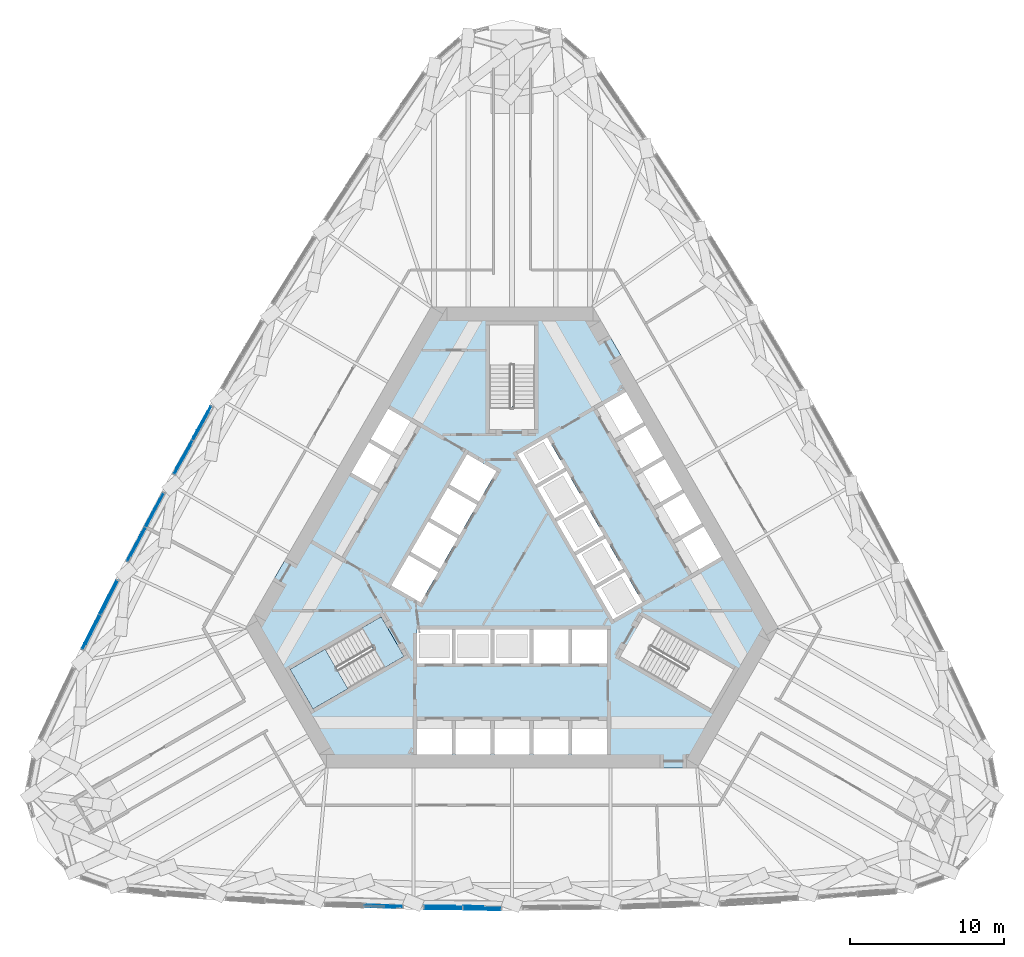
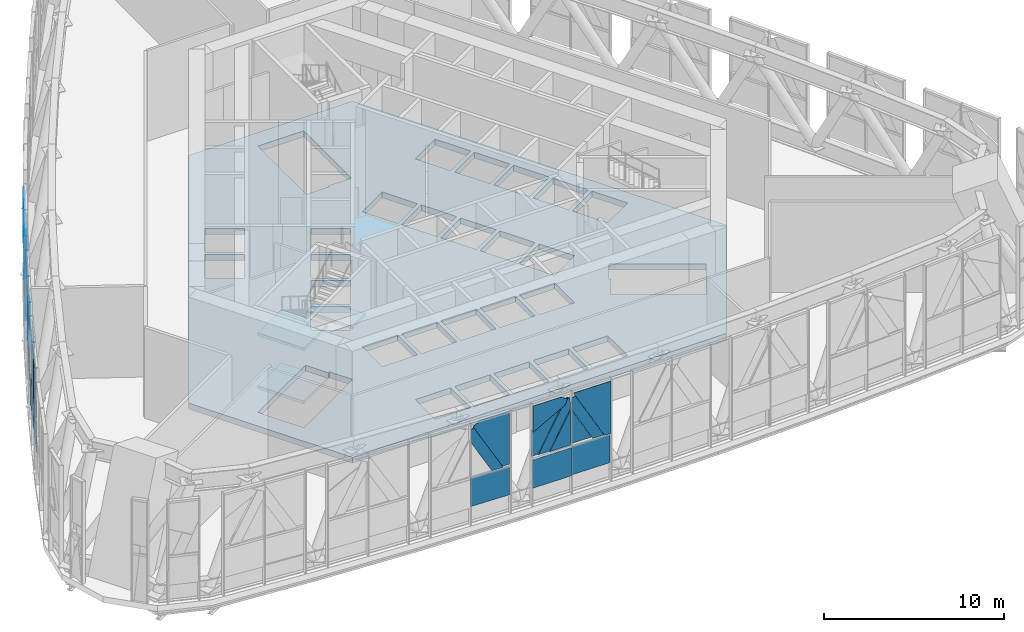
# One storey, part 13 of 33: 37 plates, 4 slabs, 3 elements without a shape of their own.
"""IFC4 building model written with IfcOpenShell, lengths in metres."""

from ifc_helpers import new_model, si_unit, direction, frame, origin, place, context, subcontext, project, spatial, polyline, outline, extrude, material, layer, layer_set, type_object, element, aggregate, save


model = new_model("IFC4")

# Units and contexts
model_context = context("Model", 3, precision=1e-05, world=origin(), true_north=direction((0.0, 1.0)))
body_context = subcontext(model_context, "Body", "Model", "MODEL_VIEW")
ifc_project = project(units=[si_unit("LENGTHUNIT", "METRE"), si_unit("AREAUNIT", "SQUARE_METRE"), si_unit("VOLUMEUNIT", "CUBIC_METRE"), si_unit("PLANEANGLEUNIT", "RADIAN"), si_unit("MASSUNIT", "GRAM", prefix="KILO")], contexts=[model_context])

# Site, building, storey
site_placement = place(None, origin())
site = spatial("IfcSite", under=ifc_project, at=site_placement, CompositionType="ELEMENT")
building_placement = place(site_placement, origin())
building = spatial("IfcBuilding", under=site, at=building_placement, Name="Mestral Congress Tower", CompositionType="ELEMENT")
storey_placement = place(building_placement, frame((0.0, 0.0, 134.39990234375)))
storey = spatial("IfcBuildingStorey", under=building, at=storey_placement, Name="L32", CompositionType="ELEMENT", Elevation=134.39990234375)

# Slab
ifc_material_1 = material(Name="Concrete C60/75", Category="concrete")
ifc_layer_1 = layer(ifc_material_1, 0.39990234375)
ifc_layer_set_1 = layer_set([ifc_layer_1], Name="Concrete C60/75")
slab_type_1 = type_object("IfcSlabType", Name="Core floor slab RC 400", PredefinedType="FLOOR", material=ifc_layer_set_1)
slab_1_placement = place(storey_placement, frame((0.0, 0.0, -0.39990234375)))
element("IfcSlab", 1, at=slab_1_placement, inside=storey, type_object=slab_type_1, Name="L32 core floor", PredefinedType="FLOOR", context=body_context, shape_type="SweptSolid", body=[
    extrude(outline(polyline([(12.0087890625, -13.0), (-12.0087890625, -13.0), (-17.2626953125, -3.89990234375), (-5.25390625, 16.89990234375), (5.25390625, 16.89990234375), (17.2626953125, -3.89990234375), (12.0087890625, -13.0)]), holes=[polyline([(-3.905029296875, -9.89990234375), (-6.175048828125, -9.89990234375), (-6.175048828125, -12.10009765625), (-3.905029296875, -12.10009765625), (-3.905029296875, -9.89990234375)]), polyline([(-1.385009765625, -12.10009765625), (-1.385009765625, -9.89990234375), (-3.655029296875, -9.89990234375), (-3.655029296875, -12.10009765625), (-1.385009765625, -12.10009765625)]), polyline([(1.135009765625, -12.10009765625), (1.135009765625, -9.89990234375), (-1.135009765625, -9.89990234375), (-1.135009765625, -12.10009765625), (1.135009765625, -12.10009765625)]), polyline([(-9.0673828125, -5.235107421875), (-9.8046875, -3.95751953125), (-14.37744140625, -6.59765625), (-12.90234375, -9.15234375), (-8.234619140625, -6.45751953125), (-8.971923828125, -5.179931640625), (-9.0673828125, -5.235107421875)]), polyline([(-3.905029296875, -6.199951171875), (-3.905029296875, -4.0), (-6.175048828125, -4.0), (-6.175048828125, -6.199951171875), (-3.905029296875, -6.199951171875)]), polyline([(-1.385009765625, -6.199951171875), (-1.385009765625, -4.0), (-3.655029296875, -4.0), (-3.655029296875, -6.199951171875), (-1.385009765625, -6.199951171875)]), polyline([(1.135009765625, -6.199951171875), (1.135009765625, -4.0), (-1.135009765625, -4.0), (-1.135009765625, -6.199951171875), (1.135009765625, -6.199951171875)]), polyline([(-5.921630859375, -2.256591796875), (-4.78662109375, -0.29052734375), (-6.69189453125, 0.809326171875), (-7.826904296875, -1.156494140625), (-5.921630859375, -2.256591796875)]), polyline([(-6.56689453125, 1.02587890625), (-4.66162109375, -0.07421875), (-3.526611328125, 1.8916015625), (-5.431884765625, 2.99169921875), (-6.56689453125, 1.02587890625)]), polyline([(-5.306884765625, 3.208251953125), (-3.401611328125, 2.1083984375), (-2.2666015625, 4.07421875), (-4.171875, 5.174072265625), (-5.306884765625, 3.208251953125)]), polyline([(-4.046875, 5.390625), (-2.1416015625, 4.29052734375), (-1.006591796875, 6.256591796875), (-2.911865234375, 7.3564453125), (-4.046875, 5.390625)]), polyline([(-10.41650390625, 6.158203125), (-8.51123046875, 5.058349609375), (-7.376220703125, 7.024169921875), (-9.281494140625, 8.1240234375), (-10.41650390625, 6.158203125)]), polyline([(2.281982421875, 8.44775390625), (0.376708984375, 7.34765625), (1.51171875, 5.3818359375), (3.4169921875, 6.481689453125), (2.281982421875, 8.44775390625)]), polyline([(-9.156494140625, 8.340576171875), (-7.251220703125, 7.240478515625), (-6.1162109375, 9.20654296875), (-8.021484375, 10.306396484375), (-9.156494140625, 8.340576171875)]), polyline([(1.47509765625, 10.469970703125), (1.47509765625, 15.75), (-1.47509765625, 15.75), (-1.47509765625, 10.360107421875), (0.0, 10.360107421875), (0.0, 10.469970703125), (1.47509765625, 10.469970703125)]), polyline([(3.655029296875, -12.10009765625), (3.655029296875, -9.89990234375), (1.385009765625, -9.89990234375), (1.385009765625, -12.10009765625), (3.655029296875, -12.10009765625)]), polyline([(6.175048828125, -12.10009765625), (6.175048828125, -9.89990234375), (3.905029296875, -9.89990234375), (3.905029296875, -12.10009765625), (6.175048828125, -12.10009765625)]), polyline([(9.0673828125, -5.235107421875), (8.329833984375, -6.512451171875), (12.90234375, -9.15234375), (14.37744140625, -6.59765625), (9.70947265625, -3.902587890625), (8.971923828125, -5.179931640625), (9.0673828125, -5.235107421875)]), polyline([(3.655029296875, -6.199951171875), (3.655029296875, -4.0), (1.385009765625, -4.0), (1.385009765625, -6.199951171875), (3.655029296875, -6.199951171875)]), polyline([(6.175048828125, -6.199951171875), (6.175048828125, -4.0), (3.905029296875, -4.0), (3.905029296875, -6.199951171875), (6.175048828125, -6.199951171875)]), polyline([(7.322021484375, -0.28173828125), (5.41650390625, -1.3818359375), (6.551513671875, -3.34765625), (8.456787109375, -2.247802734375), (7.322021484375, -0.28173828125)]), polyline([(6.06201171875, 1.900634765625), (4.156494140625, 0.800537109375), (5.29150390625, -1.165283203125), (7.197021484375, -0.065185546875), (6.06201171875, 1.900634765625)]), polyline([(12.431396484375, 2.668212890625), (10.526123046875, 1.568115234375), (11.6611328125, -0.397705078125), (13.56640625, 0.702392578125), (12.431396484375, 2.668212890625)]), polyline([(4.802001953125, 4.0830078125), (2.896484375, 2.98291015625), (4.031494140625, 1.01708984375), (5.93701171875, 2.1171875), (4.802001953125, 4.0830078125)]), polyline([(11.17138671875, 4.8505859375), (9.26611328125, 3.75048828125), (10.401123046875, 1.78466796875), (12.306396484375, 2.884765625), (11.17138671875, 4.8505859375)]), polyline([(3.5419921875, 6.265380859375), (1.63671875, 5.165283203125), (2.771484375, 3.199462890625), (4.677001953125, 4.29931640625), (3.5419921875, 6.265380859375)]), polyline([(9.911376953125, 7.032958984375), (8.006103515625, 5.932861328125), (9.14111328125, 3.967041015625), (11.04638671875, 5.067138671875), (9.911376953125, 7.032958984375)]), polyline([(8.6513671875, 9.21533203125), (6.74609375, 8.115234375), (7.881103515625, 6.1494140625), (9.786376953125, 7.24951171875), (8.6513671875, 9.21533203125)]), polyline([(7.391357421875, 11.397705078125), (5.486083984375, 10.297607421875), (6.62109375, 8.331787109375), (8.5263671875, 9.431884765625), (7.391357421875, 11.397705078125)])]), origin(), (0.0, 0.0, 1.0), 0.39990234375),
])

# Stair, slabs
stair_type = type_object("IfcStairType", Name="Exit stair 1400", PredefinedType="HALF_TURN_STAIR", material=ifc_material_1)
placement = place(storey_placement, origin())
stair = element("IfcStair", 2, at=placement, inside=storey, type_object=stair_type, Name="L32 ST3", PredefinedType="HALF_TURN_STAIR")
ifc_layer_2 = layer(ifc_material_1, 0.199951171875)
ifc_layer_set_2 = layer_set([ifc_layer_2], Name="Concrete C60/75")
slab_type_2 = type_object("IfcSlabType", Name="Exit stair landing 200", PredefinedType="LANDING", material=ifc_layer_set_2)
slab_2_placement = place(storey_placement, frame((0.0, 0.0, 1.60009765625)))
slab_2 = element("IfcSlab", 3, at=slab_2_placement, type_object=slab_type_2, Name="ST3 landing 1", PredefinedType="LANDING", context=body_context, shape_type="SweptSolid", body=[
    extrude(outline(polyline([(-12.1220703125, -5.283935546875), (-10.63720703125, -7.85595703125), (-12.906005859375, -9.166015625), (-14.39111328125, -6.593994140625), (-12.1220703125, -5.283935546875)])), origin(), (0.0, 0.0, 1.0), 0.199951171875),
])
slab_3_placement = place(storey_placement, frame((0.0, 0.0, 3.400146484375)))
slab_3 = element("IfcSlab", 4, at=slab_3_placement, type_object=slab_type_2, Name="ST3 landing 2", PredefinedType="LANDING", context=body_context, shape_type="SweptSolid", body=[
    extrude(outline(polyline([(-8.48486328125, -3.18408203125), (-6.999755859375, -5.756103515625), (-8.2294921875, -6.466064453125), (-9.714599609375, -3.89404296875), (-8.48486328125, -3.18408203125)])), origin(), (0.0, 0.0, 1.0), 0.199951171875),
])
slab_4_placement = place(storey_placement, frame((0.0, 0.0, 5.2001953125)))
slab_4 = element("IfcSlab", 5, at=slab_4_placement, type_object=slab_type_2, Name="ST3 landing 3", PredefinedType="LANDING", context=body_context, shape_type="SweptSolid", body=[
    extrude(outline(polyline([(-12.1220703125, -5.283935546875), (-10.63720703125, -7.85595703125), (-12.906005859375, -9.166015625), (-14.39111328125, -6.593994140625), (-12.1220703125, -5.283935546875)])), origin(), (0.0, 0.0, 1.0), 0.199951171875),
])
aggregate(stair, [slab_2, slab_3, slab_4])

# Curtain wall, plates
ifc_material_2 = material(Name="Clear low-emissivity double glazing", Category="glass")
curtain_wall_type = type_object("IfcCurtainWallType", Name="Facade sky lobby curtain wall", PredefinedType="USERDEFINED", material=ifc_material_2)
curtain_wall_1 = element("IfcCurtainWall", 6, at=placement, inside=storey, type_object=curtain_wall_type, Name="Facade sky lobby curtain wall face 1", ObjectType="CURTAIN WALL", PredefinedType="USERDEFINED")
ifc_material_3 = material(Name="Anodised aluminium", Category="aluminium")
ifc_layer_3 = layer(ifc_material_3, 0.031982421875)
ifc_layer_set_3 = layer_set([ifc_layer_3], Name="Anodised aluminium")
plate_type_1 = type_object("IfcPlateType", Name="Facade sky lobby curtain wall brace cover panel", PredefinedType="CURTAIN_PANEL", material=ifc_layer_set_3)
plate_1_placement = place(storey_placement, frame((-7.11962890625, -22.00439453125, 3.130126953125), z_axis=(-0.035029552584, -0.999384204182, 0.002035405711), x_axis=(0.0, -0.002036655654, -0.999997926015)))
plate_1 = element("IfcPlate", 7, at=plate_1_placement, type_object=plate_type_1, Name="Facade sky lobby curtain wall brace cover panel", PredefinedType="CURTAIN_PANEL", context=body_context, shape_type="SweptSolid", body=[
    extrude(outline(polyline([(0.0, 0.0), (1.917972727847199, 0.0), (1.9177972055215664, -2.4602501467345066), (-0.00017552232563247701, -2.4602501467345066), (0.0, 0.0)])), origin(), (0.0, 0.0, -1.0), 0.031982421875),
])
plate_2_placement = place(storey_placement, frame((-9.580810546875, -21.989501953125, 6.453369140625), z_axis=(-0.035058661841, -0.999383283335, 0.001985754179), x_axis=(0.870368387046, -0.029556154181, 0.491513280167)))
plate_2 = element("IfcPlate", 8, at=plate_2_placement, type_object=plate_type_1, Name="Facade sky lobby curtain wall brace cover panel", PredefinedType="CURTAIN_PANEL", context=body_context, shape_type="SweptSolid", body=[
    extrude(outline(polyline([(0.0, 0.0), (0.19719460352054752, 0.0), (0.19514526706088575, -3.7655152863257073), (-0.4243682756161138, -3.415865140234382), (-0.4228237075755904, -0.749284888433999), (0.0, 0.0)])), origin(), (0.0, 0.0, -1.0), 0.031982421875),
])
plate_3_placement = place(storey_placement, frame((-3.234130859375, -22.134521484375, 3.130126953125), z_axis=(-0.01171016916, -0.999929359775, 0.002036516008), x_axis=(0.0, -0.002036655654, -0.999997926015)))
plate_3 = element("IfcPlate", 9, at=plate_3_placement, type_object=plate_type_1, Name="Facade sky lobby curtain wall brace cover panel", PredefinedType="CURTAIN_PANEL", context=body_context, shape_type="SweptSolid", body=[
    extrude(outline(polyline([(0.0, 0.0), (1.917972727847199, -6.776263578034403e-21), (1.91791405466186, -2.460129619686164), (-5.8673185338901675e-05, -2.460129619686164), (0.0, 0.0)])), origin(), (0.0, 0.0, -1.0), 0.031982421875),
])
plate_4_placement = place(storey_placement, frame((-3.232666015625, -22.019287109375, 5.681640625), z_axis=(-0.011741444693, -0.999929066453, 0.002000134565), x_axis=(-0.484706180205, 0.003941976418, -0.874668154041)))
plate_4 = element("IfcPlate", 10, at=plate_4_placement, type_object=plate_type_1, Name="Facade sky lobby curtain wall brace cover panel", PredefinedType="CURTAIN_PANEL", context=body_context, shape_type="SweptSolid", body=[
    extrude(outline(polyline([(0.0, 0.0), (2.757184351322944, 2.220446049250313e-16), (3.100392835159157, -0.6193156723257722), (-0.6458943582744826, -0.619517024306564), (-0.6459598281471784, -0.3579903313282294), (0.0, 0.0)])), origin(), (0.0, 0.0, -1.0), 0.031982421875),
])
plate_5_placement = place(storey_placement, frame((-0.71337890625, -22.095947265625, 3.130126953125), z_axis=(-0.011660558048, -0.999930067127, 0.001972876278), x_axis=(7.4209e-07, -0.00197301907, -0.999998053596)))
plate_5 = element("IfcPlate", 11, at=plate_5_placement, type_object=plate_type_1, Name="Facade sky lobby curtain wall brace cover panel", PredefinedType="CURTAIN_PANEL", context=body_context, shape_type="SweptSolid", body=[
    extrude(outline(polyline([(0.0, 0.0), (1.9179727239631297, -1.3552527156068805e-20), (1.91791405854581, -2.4601296166582407), (-5.818372321064417e-05, -2.46012676984821), (0.0, 0.0)])), origin(), (0.0, 0.0, -1.0), 0.031982421875),
])
plate_6_placement = place(storey_placement, frame((-3.173828125, -22.110595703125, 6.435302734375), z_axis=(-0.011653708626, -0.999930130296, 0.001981313108), x_axis=(0.872615127447, -0.009202327067, 0.488321775602)))
plate_6 = element("IfcPlate", 12, at=plate_6_placement, type_object=plate_type_1, Name="Facade sky lobby curtain wall brace cover panel", PredefinedType="CURTAIN_PANEL", context=body_context, shape_type="SweptSolid", body=[
    extrude(outline(polyline([(0.0, 0.0), (0.22998058410205385, 0.0), (0.22795126621745498, -3.7547173703110945), (-0.391008651837903, -3.4083611823242395), (-0.389592565033297, -0.6962669411079537), (0.0, 0.0)])), origin(), (0.0, 0.0, -1.0), 0.031982421875),
])

curtain_wall_2 = element("IfcCurtainWall", 13, at=placement, inside=storey, type_object=curtain_wall_type, Name="Facade sky lobby curtain wall face 3", ObjectType="CURTAIN WALL", PredefinedType="USERDEFINED")
plate_7_placement = place(storey_placement, frame((-20.732421875, 8.30517578125, 3.130126953125), z_axis=(-0.871788490385, 0.489878643459, 0.001934609868), x_axis=(-0.001703154783, 0.000918218248, -0.999998128068)))
plate_7 = element("IfcPlate", 14, at=plate_7_placement, type_object=plate_type_1, Name="Facade sky lobby curtain wall brace cover panel", PredefinedType="CURTAIN_PANEL", context=body_context, shape_type="SweptSolid", body=[
    extrude(outline(polyline([(0.0, 0.0), (1.9179721344336613, -3.1170812458958252e-19), (1.9178890717616257, -2.4601371395431637), (-8.347848130888739e-05, -2.46025673903116), (0.0, 0.0)])), origin(), (0.0, 0.0, -1.0), 0.031982421875),
])
plate_8_placement = place(storey_placement, frame((-20.6982421875, 8.285888671875, 5.637451171875), z_axis=(-0.87175339447, 0.489940627862, 0.002049487819), x_axis=(0.237442386329, 0.426133866589, -0.87294389334)))
plate_8 = element("IfcPlate", 15, at=plate_8_placement, type_object=plate_type_1, Name="Facade sky lobby curtain wall brace cover panel", PredefinedType="CURTAIN_PANEL", context=body_context, shape_type="SweptSolid", body=[
    extrude(outline(polyline([(0.0, 0.0), (2.7120093337167415, 0.0), (3.058082342067052, -0.6192955991621925), (-0.6966277957729636, -0.6191655523748641), (-0.6965019123789742, -0.3891711491987993), (0.0, 0.0)])), origin(), (0.0, 0.0, -1.0), 0.031982421875),
])
plate_9_placement = place(storey_placement, frame((-21.93701171875, 6.09130859375, 3.130126953125), z_axis=(-0.871830870117, 0.489803216786, 0.001934615487), x_axis=(-0.001733697614, 0.000863858676, -0.999998124019)))
plate_9 = element("IfcPlate", 16, at=plate_9_placement, type_object=plate_type_1, Name="Facade sky lobby curtain wall brace cover panel", PredefinedType="CURTAIN_PANEL", context=body_context, shape_type="SweptSolid", body=[
    extrude(outline(polyline([(0.0, 0.0), (1.9179725539715948, 1.3552527156068805e-19), (1.917736095730862, -2.4601371295814847), (-0.00023603497471397683, -2.460017548534327), (0.0, 0.0)])), origin(), (0.0, 0.0, -1.0), 0.031982421875),
])
plate_10_placement = place(storey_placement, frame((-21.762939453125, 6.47021484375, 3.27001953125), z_axis=(-0.871776439678, 0.489899898844, 0.001982002634), x_axis=(0.4899008609, 0.871778152106, -1.11043e-07)))
plate_10 = element("IfcPlate", 17, at=plate_10_placement, type_object=plate_type_1, Name="Facade sky lobby curtain wall brace cover panel", PredefinedType="CURTAIN_PANEL", context=body_context, shape_type="SweptSolid", body=[
    extrude(outline(polyline([(0.0, 0.0), (0.708221696781026, 0.0), (2.044561757087658, -2.4116261933790635), (2.044561750066144, -2.4748584910548908), (1.7064159933893228, -3.0795961107994465), (0.0, 0.0)])), origin(), (0.0, 0.0, -1.0), 0.031982421875),
])
plate_11_placement = place(storey_placement, frame((-23.74609375, 2.65087890625, 3.130126953125), z_axis=(-0.883024703116, 0.469322395166, 0.001965472436), x_axis=(-0.001758823562, 0.000878679534, -0.999998067229)))
plate_11 = element("IfcPlate", 18, at=plate_11_placement, type_object=plate_type_1, Name="Facade sky lobby curtain wall brace cover panel", PredefinedType="CURTAIN_PANEL", context=body_context, shape_type="SweptSolid", body=[
    extrude(outline(polyline([(0.0, 0.0), (1.9179725562593968, 4.0657581468206416e-19), (1.9178505185957497, -2.4604373085364624), (-0.00012182278473420595, -2.4601071450431897), (0.0, 0.0)])), origin(), (0.0, 0.0, -1.0), 0.031982421875),
])
plate_12_placement = place(storey_placement, frame((-23.79296875, 2.67578125, 5.593017578125), z_axis=(-0.882929801417, 0.469500355318, 0.002093352865), x_axis=(0.228929417101, 0.434402672488, -0.87114042503)))
plate_12 = element("IfcPlate", 19, at=plate_12_placement, type_object=plate_type_1, Name="Facade sky lobby curtain wall brace cover panel", PredefinedType="CURTAIN_PANEL", context=body_context, shape_type="SweptSolid", body=[
    extrude(outline(polyline([(0.0, 0.0), (2.666617521451781, 0.0), (3.015850704125838, -0.6195784326366074), (-0.7496498886850662, -0.6195653988237836), (-0.7494698460254102, -0.42249546314220665), (0.0, 0.0)])), origin(), (0.0, 0.0, -1.0), 0.031982421875),
])
plate_13_placement = place(storey_placement, frame((-24.958984375, 0.44140625, 3.130126953125), z_axis=(-0.882993163432, 0.46938162093, 0.001991799342), x_axis=(-0.001782073856, 0.000891036928, -0.999998015131)))
plate_13 = element("IfcPlate", 20, at=plate_13_placement, type_object=plate_type_1, Name="Facade sky lobby curtain wall brace cover panel", PredefinedType="CURTAIN_PANEL", context=body_context, shape_type="SweptSolid", body=[
    extrude(outline(polyline([(0.0, 0.0), (1.9179725569242465, -2.846030702774449e-19), (1.9178503003926293, -2.460221731444535), (-0.00012225653161712473, -2.4602217314445345), (0.0, 0.0)])), origin(), (0.0, 0.0, -1.0), 0.031982421875),
])
plate_14_placement = place(storey_placement, frame((-24.732421875, 0.77783203125, 3.27001953125), z_axis=(-0.882988579717, 0.469390225379, 0.001996098345), x_axis=(0.469391161204, 0.882990338443, 3.97971e-07)))
plate_14 = element("IfcPlate", 21, at=plate_14_placement, type_object=plate_type_1, Name="Facade sky lobby curtain wall brace cover panel", PredefinedType="CURTAIN_PANEL", context=body_context, shape_type="SweptSolid", body=[
    extrude(outline(polyline([(0.0, 0.0), (0.7076205191586604, 0.0), (2.0494706234472666, -2.442875144830639), (1.6910558363424992, -3.078374882003865), (0.0, 0.0)])), origin(), (0.0, 0.0, -1.0), 0.031982421875),
])
plate_15_placement = place(storey_placement, frame((-26.74755859375, -3.009765625, 3.130126953125), z_axis=(-0.893789321407, 0.448482384601, 0.00204930268), x_axis=(-0.001858520613, 0.000865524508, -0.999997898382)))
plate_15 = element("IfcPlate", 22, at=plate_15_placement, type_object=plate_type_1, Name="Facade sky lobby curtain wall brace cover panel", PredefinedType="CURTAIN_PANEL", context=body_context, shape_type="SweptSolid", body=[
    extrude(outline(polyline([(0.0, 0.0), (1.9179730044360113, -9.486769009248164e-20), (1.9178253643166034, -2.4603325046817424), (-0.00014718637902373568, -2.460223011709139), (0.0, 0.0)])), origin(), (0.0, 0.0, -1.0), 0.031982421875),
])
plate_16_placement = place(storey_placement, frame((-26.712890625, -3.027099609375, 5.547119140625), z_axis=(-0.893774780836, 0.44851152407, 0.002013434604), x_axis=(0.220118592056, 0.442545478124, -0.869310821987)))
plate_16 = element("IfcPlate", 23, at=plate_16_placement, type_object=plate_type_1, Name="Facade sky lobby curtain wall brace cover panel", PredefinedType="CURTAIN_PANEL", context=body_context, shape_type="SweptSolid", body=[
    extrude(outline(polyline([(0.0, 0.0), (2.619430683896355, 0.0), (2.9722009008206625, -0.6204544073849139), (-0.8063851263507167, -0.6202567483895468), (-0.8065455262008908, -0.45845310503350767), (0.0, 0.0)])), origin(), (0.0, 0.0, -1.0), 0.031982421875),
])
plate_17_placement = place(storey_placement, frame((-27.84765625, -5.277587890625, 3.130126953125), z_axis=(-0.893759501862, 0.448541936204, 0.002020964555), x_axis=(-0.001756558889, 0.001005522967, -0.99999795171)))
plate_17 = element("IfcPlate", 24, at=plate_17_placement, type_object=plate_type_1, Name="Facade sky lobby curtain wall brace cover panel", PredefinedType="CURTAIN_PANEL", context=body_context, shape_type="SweptSolid", body=[
    extrude(outline(polyline([(0.0, 0.0), (1.9179727892194511, 1.6263032587282567e-19), (1.9182452730243782, -2.4601142923822357), (0.0002727292939328121, -2.4603324958053623), (0.0, 0.0)])), origin(), (0.0, 0.0, -1.0), 0.031982421875),
])
plate_18_placement = place(storey_placement, frame((-27.32470703125, -4.31201171875, 3.27001953125), z_axis=(-0.893681462062, 0.448697832921, 0.001923304134), x_axis=(0.216028908289, 0.42650479434, 0.87830812998)))
plate_18 = element("IfcPlate", 25, at=plate_18_placement, type_object=plate_type_1, Name="Facade sky lobby curtain wall brace cover panel", PredefinedType="CURTAIN_PANEL", context=body_context, shape_type="SweptSolid", body=[
    extrude(outline(polyline([(0.0, 0.0), (2.780225297011082, 0.0), (3.1052198494163323, -0.5243508616569408), (2.949135395489575, -0.6211314444189866), (-0.3381490462212127, -0.6212183969325842), (0.0, 0.0)])), origin(), (0.0, 0.0, -1.0), 0.031982421875),
])

# Plate
ifc_layer_4 = layer(ifc_material_2, 0.031982421875)
ifc_layer_set_4 = layer_set([ifc_layer_4], Name="Clear low-emissivity double glazing")
plate_type_2 = type_object("IfcPlateType", Name="Facade sky lobby curtain wall panel", PredefinedType="CURTAIN_PANEL", material=ifc_layer_set_4)
plate_19_placement = place(storey_placement, frame((-8.944580078125, -21.905029296875, 6.81005859375), z_axis=(-0.035004162464, -0.999385161467, 0.002001911664), x_axis=(0.999387164066, -0.035004232611, -2.08e-09)))
plate_19 = element("IfcPlate", 26, at=plate_19_placement, type_object=plate_type_2, Name="Sky lobby glass unit", PredefinedType="CURTAIN_PANEL", context=body_context, shape_type="SweptSolid", body=[
    extrude(outline(polyline([(0.0, 0.0), (1.827291771522373, 2.710505431213761e-20), (1.8272956205808986, -3.5400461509866417), (1.3878174040748643, -3.5400461573860995), (-0.46120196153073845, -0.2597661451048115), (0.0, 0.0)])), origin(), (0.0, 0.0, -1.0), 0.031982421875),
])

plate_20_placement = place(storey_placement, frame((-3.2333984375, -22.0673828125, 5.681640625), z_axis=(-0.011692946004, -0.999929585609, 0.002024558788), x_axis=(0.0, -0.002024697207, -0.999997950299)))
plate_20 = element("IfcPlate", 27, at=plate_20_placement, type_object=plate_type_2, Name="Sky lobby glass unit", PredefinedType="CURTAIN_PANEL", context=body_context, shape_type="SweptSolid", body=[
    extrude(outline(polyline([(0.0, 0.0), (2.4116260368634803, 0.0), (2.4115944009696286, -1.3362729947011152), (0.0, 0.0)])), origin(), (0.0, 0.0, -1.0), 0.031982421875),
])

plate_21_placement = place(storey_placement, frame((-3.68212890625, -22.165283203125, 6.151611328125), z_axis=(-0.011693447435, -0.999929474386, 0.002075943352), x_axis=(-0.872878791751, 0.009194860826, -0.487850458076)))
plate_21 = element("IfcPlate", 28, at=plate_21_placement, type_object=plate_type_2, Name="Sky lobby glass unit", PredefinedType="CURTAIN_PANEL", context=body_context, shape_type="SweptSolid", body=[
    extrude(outline(polyline([(0.0, 0.0), (2.305533909583738, 0.0), (1.4356311207957795, -1.5566296709608127), (-0.09763606576884823, -0.6997344652284629), (-0.38400061812792263, -0.2381979194954773), (0.0, 0.0)])), origin(), (0.0, 0.0, -1.0), 0.031982421875),
])

plate_22_placement = place(storey_placement, frame((-5.692138671875, -21.943603515625, 3.27001953125), z_axis=(-0.011577944641, -0.999931000917, 0.001986102314), x_axis=(-1.137476e-06, 0.001986248615, 0.999998027406)))
plate_22 = element("IfcPlate", 29, at=plate_22_placement, type_object=plate_type_2, Name="Sky lobby glass unit", PredefinedType="CURTAIN_PANEL", context=body_context, shape_type="SweptSolid", body=[
    extrude(outline(polyline([(0.0, 0.0), (1.7568397458349898, 0.0), (2.8815489090228765, -2.012589346684002), (-9.68620776472244e-06, -0.4155531985147575), (0.0, 0.0)])), origin(), (0.0, 0.0, -1.0), 0.031982421875),
])

plate_23_placement = place(storey_placement, frame((-0.714599609375, -22.20458984375, 6.81005859375), z_axis=(-0.011715229561, -0.999929299562, 0.002036976629), x_axis=(3.73043e-07, -0.002037120798, -0.999997925067)))
plate_23 = element("IfcPlate", 30, at=plate_23_placement, type_object=plate_type_2, Name="Sky lobby glass unit", PredefinedType="CURTAIN_PANEL", context=body_context, shape_type="SweptSolid", body=[
    extrude(outline(polyline([(0.0, 0.0), (3.5400466374751987, -1.3552527156068805e-20), (3.5400360335980943, -0.4280092086226204), (-5.809209658947896e-05, -2.406169663737904), (0.0, 0.0)])), origin(), (0.0, 0.0, -1.0), 0.031982421875),
])

plate_24_placement = place(storey_placement, frame((-3.172119140625, -21.968994140625, 3.27001953125), z_axis=(-0.011624950909, -0.999930301186, 0.002062349801), x_axis=(0.0, 0.002062489168, 0.999997873067)))
plate_24 = element("IfcPlate", 31, at=plate_24_placement, type_object=plate_type_2, Name="Sky lobby glass unit", PredefinedType="CURTAIN_PANEL", context=body_context, shape_type="SweptSolid", body=[
    extrude(outline(polyline([(0.0, 0.0), (2.3674366760043, 0.0), (-3.172285585426817e-05, -1.3230874505730297), (0.0, 0.0)])), origin(), (0.0, 0.0, -1.0), 0.031982421875),
])

aggregate(curtain_wall_1, [plate_1, plate_19, plate_2, plate_3, plate_20, plate_21, plate_22, plate_4, plate_5, plate_23, plate_24, plate_6])

plate_25_placement = place(storey_placement, frame((-20.73193359375, 8.304931640625, 3.27001953125), z_axis=(-0.871874174987, 0.489725727072, 0.002033527714), x_axis=(0.489726739641, 0.871875977695, 0.0)))
plate_25 = element("IfcPlate", 32, at=plate_25_placement, type_object=plate_type_2, Name="Sky lobby glass unit", PredefinedType="CURTAIN_PANEL", context=body_context, shape_type="SweptSolid", body=[
    extrude(outline(polyline([(0.0, 0.0), (1.323083193753256, 0.0), (-9.604619215262391e-05, -2.3674365355832303), (0.0, 0.0)])), origin(), (0.0, 0.0, -1.0), 0.031982421875),
])

plate_26_placement = place(storey_placement, frame((-20.65771484375, 8.493408203125, 6.547607421875), z_axis=(-0.871831093002, 0.489802585764, 0.00199305148), x_axis=(0.23741161894, 0.426136312294, -0.872951067665)))
plate_26 = element("IfcPlate", 33, at=plate_26_placement, type_object=plate_type_2, Name="Sky lobby glass unit", PredefinedType="CURTAIN_PANEL", context=body_context, shape_type="SweptSolid", body=[
    extrude(outline(polyline([(0.0, 0.0), (3.7546060962472336, -4.440892098500626e-16), (3.9633061583164193, -0.37347963775348725), (0.8730178040593495, -2.1003390365953556), (3.321327223509973e-05, -0.5380864522951762), (0.0, 0.0)])), origin(), (0.0, 0.0, -1.0), 0.031982421875),
])

plate_27_placement = place(storey_placement, frame((-20.731689453125, 8.23583984375, 3.27001953125), z_axis=(-0.871749377609, 0.489947994708, 0.00199627651), x_axis=(0.001720992723, -0.00101234866, 0.999998006665)))
plate_27 = element("IfcPlate", 34, at=plate_27_placement, type_object=plate_type_2, Name="Sky lobby glass unit", PredefinedType="CURTAIN_PANEL", context=body_context, shape_type="SweptSolid", body=[
    extrude(outline(polyline([(0.0, 0.0), (2.4116259009279952, 4.87890977618477e-19), (5.254524540631222e-05, -1.3364354137911842), (0.0, 0.0)])), origin(), (0.0, 0.0, -1.0), 0.031982421875),
])

plate_28_placement = place(storey_placement, frame((-21.9072265625, 6.074462890625, 3.27001953125), z_axis=(-0.871811995285, 0.489836528437, 0.002005065122), x_axis=(0.489837512431, 0.871813748122, -3.72061e-07)))
plate_28 = element("IfcPlate", 35, at=plate_28_placement, type_object=plate_type_2, Name="Sky lobby glass unit", PredefinedType="CURTAIN_PANEL", context=body_context, shape_type="SweptSolid", body=[
    extrude(outline(polyline([(0.0, 0.0), (0.4158124759104627, 5.421010862427522e-20), (2.1220143712341777, -3.0795970440428246), (1.9133630363552456, -3.452888148266251), (1.7561930075042052, -3.540046871162707), (-0.00020426349938243842, -3.540046212405038), (0.0, 0.0)])), origin(), (0.0, 0.0, -1.0), 0.031982421875),
])

plate_29_placement = place(storey_placement, frame((-23.745849609375, 2.650634765625, 3.27001953125), z_axis=(-0.88303665245, 0.46929967361, 0.002021578576), x_axis=(0.469300632575, 0.883038456844, 0.0)))
plate_29 = element("IfcPlate", 36, at=plate_29_placement, type_object=plate_type_2, Name="Sky lobby glass unit", PredefinedType="CURTAIN_PANEL", context=body_context, shape_type="SweptSolid", body=[
    extrude(outline(polyline([(0.0, 0.0), (1.309399371045534, 0.0), (7.510898970484883e-06, -2.32300279368046), (0.0, 0.0)])), origin(), (0.0, 0.0, -1.0), 0.031982421875),
])

plate_30_placement = place(storey_placement, frame((-23.689453125, 2.815185546875, 6.55029296875), z_axis=(-0.883027203578, 0.469317740126, 0.001953597744), x_axis=(0.228948600727, 0.434395889948, -0.871138765652)))
plate_30 = element("IfcPlate", 37, at=plate_30_placement, type_object=plate_type_2, Name="Sky lobby glass unit", PredefinedType="CURTAIN_PANEL", context=body_context, shape_type="SweptSolid", body=[
    extrude(outline(polyline([(0.0, 0.0), (3.765500592557845, 2.220446049250313e-16), (3.9813577782588, -0.382950889969621), (0.897405158777519, -2.121099828976239), (0.000134926595361462, -0.5292577188610619), (0.0, 0.0)])), origin(), (0.0, 0.0, -1.0), 0.031982421875),
])

plate_31_placement = place(storey_placement, frame((-23.796875, 2.60986328125, 3.27001953125), z_axis=(-0.882944152899, 0.469473966754, 0.001953817236), x_axis=(0.001748894442, -0.000872545468, 0.999998090014)))
plate_31 = element("IfcPlate", 38, at=plate_31_placement, type_object=plate_type_2, Name="Sky lobby glass unit", PredefinedType="CURTAIN_PANEL", context=body_context, shape_type="SweptSolid", body=[
    extrude(outline(polyline([(0.0, 0.0), (2.4294483219588385, 5.149960319306146e-19), (2.4428753776868186, -0.00754014802482507), (-6.802009230921454e-05, -1.3492659857197866), (0.0, 0.0)])), origin(), (0.0, 0.0, -1.0), 0.031982421875),
])

plate_32_placement = place(storey_placement, frame((-24.981689453125, 0.45361328125, 3.27001953125), z_axis=(-0.88306535345, 0.469245324317, 0.00209931971), x_axis=(0.469246357739, 0.883067299671, -3.21849e-07)))
plate_32 = element("IfcPlate", 39, at=plate_32_placement, type_object=plate_type_2, Name="Sky lobby glass unit", PredefinedType="CURTAIN_PANEL", context=body_context, shape_type="SweptSolid", body=[
    extrude(outline(polyline([(0.0, 0.0), (0.40333523375683616, -1.0842021724855044e-19), (2.0942732386101963, -3.0783762269419785), (1.8821993181353964, -3.454842269758559), (1.7268967426112958, -3.5400473983892864), (-4.0821216774311555e-05, -3.540046396326238), (0.0, 0.0)])), origin(), (0.0, 0.0, -1.0), 0.031982421875),
])

plate_33_placement = place(storey_placement, frame((-25.5830078125, -0.841796875, 3.27001953125), z_axis=(-0.89374887442, 0.448563342237, 0.001969130301), x_axis=(0.001775041846, -0.000853134426, 0.999998060692)))
plate_33 = element("IfcPlate", 40, at=plate_33_placement, type_object=plate_type_2, Name="Sky lobby glass unit", PredefinedType="CURTAIN_PANEL", context=body_context, shape_type="SweptSolid", body=[
    extrude(outline(polyline([(0.0, 0.0), (3.5400455306874252, -6.369687763352339e-19), (3.53998284044446, -1.8705250941482807), (3.2845958569572686, -2.3193692876535885), (-1.539392733966344e-05, -0.45158155479523143), (0.0, 0.0)])), origin(), (0.0, 0.0, -1.0), 0.031982421875),
])

plate_34_placement = place(storey_placement, frame((-26.77783203125, -2.99462890625, 3.27001953125), z_axis=(-0.893745553078, 0.448569761766, 0.002013748525), x_axis=(0.448570671285, 0.893747365234, 0.0)))
plate_34 = element("IfcPlate", 41, at=plate_34_placement, type_object=plate_type_2, Name="Sky lobby glass unit", PredefinedType="CURTAIN_PANEL", context=body_context, shape_type="SweptSolid", body=[
    extrude(outline(polyline([(0.0, 0.0), (1.294802768114435, 0.0), (0.00011614318602925603, -2.2771042264169954), (0.0, 0.0)])), origin(), (0.0, 0.0, -1.0), 0.031982421875),
])

plate_35_placement = place(storey_placement, frame((-27.87451171875, -5.263916015625, 5.041748046875), z_axis=(-0.893744140947, 0.448573088077, 0.001896094741), x_axis=(0.390783276687, 0.77651349729, 0.494282529721)))
plate_35 = element("IfcPlate", 42, at=plate_35_placement, type_object=plate_type_2, Name="Sky lobby glass unit", PredefinedType="CURTAIN_PANEL", context=body_context, shape_type="SweptSolid", body=[
    extrude(outline(polyline([(0.0, 0.0), (2.2567626848730873, 1.1102230246251565e-16), (2.8884858082898948, -0.39178967954035726), (0.8740524123801233, -1.5371939674115815), (0.0, 0.0)])), origin(), (0.0, 0.0, -1.0), 0.031982421875),
])

plate_36_placement = place(storey_placement, frame((-27.733154296875, -4.898193359375, 3.27001953125), z_axis=(-0.893778470638, 0.448504033834, 0.002043785208), x_axis=(0.216041276404, 0.426524579218, 0.878295480014)))
plate_36 = element("IfcPlate", 43, at=plate_36_placement, type_object=plate_type_2, Name="Sky lobby glass unit", PredefinedType="CURTAIN_PANEL", context=body_context, shape_type="SweptSolid", body=[
    extrude(outline(polyline([(0.0, 0.0), (3.287284442908005, -2.220446049250313e-16), (1.3694355332307198, -1.1900083061061442), (-0.1866223678917548, -0.3428254834951479), (0.0, 0.0)])), origin(), (0.0, 0.0, -1.0), 0.031982421875),
])

plate_37_placement = place(storey_placement, frame((-26.784912109375, -3.095703125, 5.7119140625), z_axis=(-0.893825490709, 0.448410175969, 0.002075149683), x_axis=(-0.216010644987, -0.426513959944, -0.878308170989)))
plate_37 = element("IfcPlate", 44, at=plate_37_placement, type_object=plate_type_2, Name="Sky lobby glass unit", PredefinedType="CURTAIN_PANEL", context=body_context, shape_type="SweptSolid", body=[
    extrude(outline(polyline([(0.0, 0.0), (2.7802252969587746, 0.0), (2.1287231508256776, -1.1968857126752797), (0.03608179178051321, -0.057803508253338964), (0.0, 0.0)])), origin(), (0.0, 0.0, -1.0), 0.031982421875),
])

aggregate(curtain_wall_2, [plate_7, plate_25, plate_26, plate_8, plate_9, plate_27, plate_28, plate_10, plate_11, plate_29, plate_30, plate_12, plate_13, plate_31, plate_32, plate_14, plate_15, plate_33, plate_34, plate_16, plate_17, plate_35, plate_36, plate_37, plate_18])

save(model, "model.ifc")
